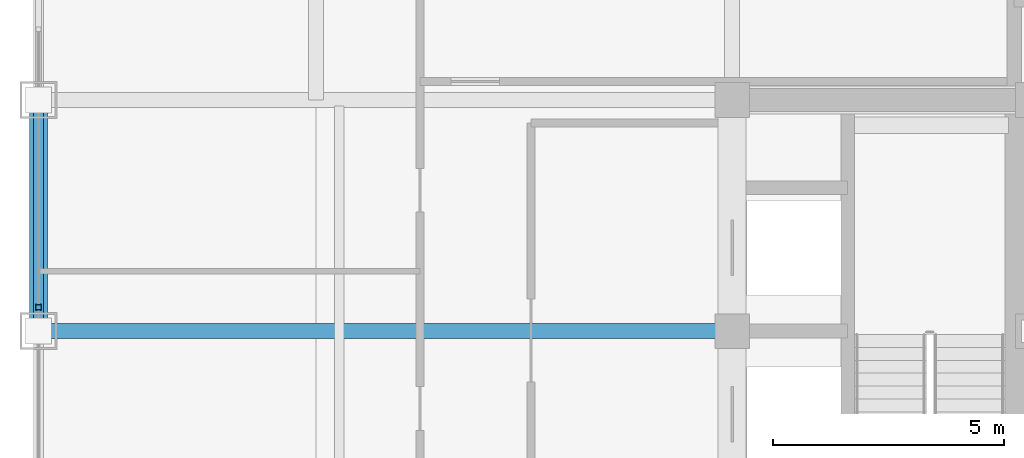
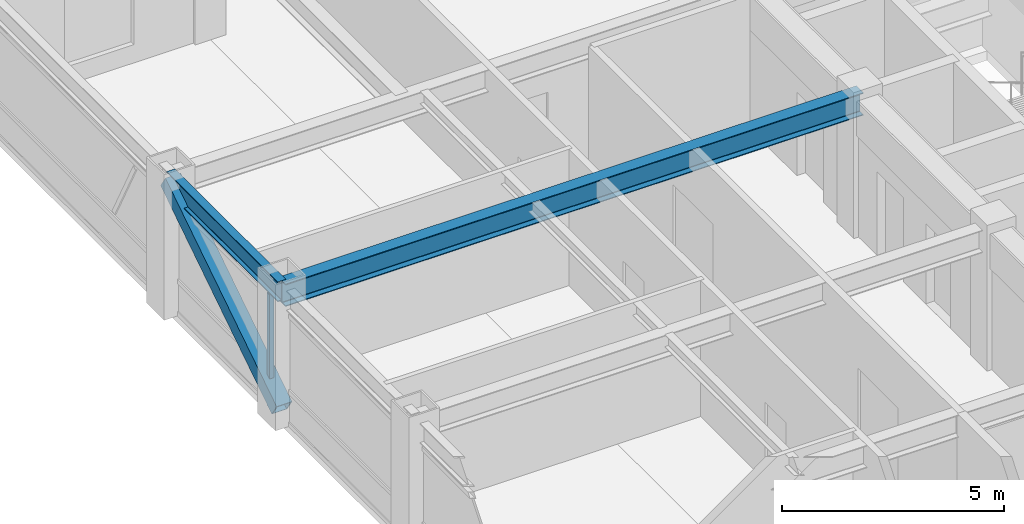
# One storey, part 15 of 29: 2 beams, 2 members, 1 element without a shape of its own.
"""IFC4 building model written with IfcOpenShell, lengths in metres."""

from ifc_helpers import new_model, si_unit, direction, frame, origin, origin_2d, place, context, subcontext, project, spatial, hollow_rectangle, i_section, extrude, source, transform, mapped, material, material_profile, profile_set, type_object, element, aggregate, save


model = new_model("IFC4")

# Units and contexts
model_context = context("Model", 3, precision=1e-05, world=origin(), true_north=direction((0.0, 1.0)))
body_context = subcontext(model_context, "Body", "Model", "MODEL_VIEW")
ifc_project = project(units=[si_unit("LENGTHUNIT", "METRE"), si_unit("AREAUNIT", "SQUARE_METRE"), si_unit("VOLUMEUNIT", "CUBIC_METRE"), si_unit("PLANEANGLEUNIT", "RADIAN"), si_unit("MASSUNIT", "GRAM", prefix="KILO")], contexts=[model_context])

# Site, building, storey
site_placement = place(None, origin())
site = spatial("IfcSite", under=ifc_project, at=site_placement, CompositionType="ELEMENT")
building_placement = place(site_placement, origin())
building = spatial("IfcBuilding", under=site, at=building_placement, Name="Khorayat Bourse Tower", CompositionType="ELEMENT")
storey_placement = place(building_placement, frame((0.0, 0.0, 350.300048828125)))
storey = spatial("IfcBuildingStorey", under=building, at=storey_placement, Name="L83", CompositionType="ELEMENT", Elevation=350.300048828125)

# Beams
ifc_material_1 = material(Name="Steel ASTM A992 Grade 50", Category="steel")
ifc_material_profile_1 = material_profile(ifc_material_1, i_section(OverallWidth=0.214111328125, OverallDepth=0.549072265625, WebThickness=0.0146484375, FlangeThickness=0.023681640625, FilletRadius=0.013916015625, at=origin_2d()), Name="W530X138")
ifc_profile_set_1 = profile_set([ifc_material_profile_1], Name="Steel ASTM A992 Grade 50")
beam_type_1 = type_object("IfcBeamType", Name="BM-SPAN-530", PredefinedType="SPANDREL", material=ifc_profile_set_1)
shared_shape_1 = source(origin(), body_context, "Body", "SweptSolid", [
    extrude(i_section(OverallWidth=0.214111328125, OverallDepth=0.549072265625, WebThickness=0.0146484375, FlangeThickness=0.023681640625, FilletRadius=0.013916015625, at=origin_2d()), origin(), (0.0, 0.0, 1.0), 5.0),
])
beam_1_placement = place(storey_placement, frame((-26.0, 6.0, 3.46533203125), z_axis=(0.0, 1.0, 0.0), x_axis=(-1.0, 0.0, 0.0)))
element("IfcBeam", 1, at=beam_1_placement, inside=storey, type_object=beam_type_1, Name="L83 BM-SPAN-530 BM-L83-SPN-046", PredefinedType="SPANDREL", context=body_context, shape_type="MappedRepresentation", body=[
    mapped(shared_shape_1, transform((0.0, 0.0, 0.0), scale=1.0)),
])
ifc_material_profile_2 = material_profile(ifc_material_1, i_section(OverallWidth=0.324951171875, OverallDepth=0.615966796875, WebThickness=0.013916015625, FlangeThickness=0.021484375, FilletRadius=0.01611328125, at=origin_2d()), Name="W610X174")
ifc_profile_set_2 = profile_set([ifc_material_profile_2], Name="Steel ASTM A992 Grade 50")
beam_type_2 = type_object("IfcBeamType", Name="BM-GIRD-610", PredefinedType="BEAM", material=ifc_profile_set_2)
shared_shape_2 = source(origin(), body_context, "Body", "SweptSolid", [
    extrude(i_section(OverallWidth=0.324951171875, OverallDepth=0.615966796875, WebThickness=0.013916015625, FlangeThickness=0.021484375, FilletRadius=0.01611328125, at=origin_2d()), origin(), (0.0, 0.0, 1.0), 15.0),
])
beam_2_placement = place(storey_placement, frame((-26.0, 6.0, 3.431884765625), z_axis=(1.0, 0.0, 0.0), x_axis=(0.0, 1.0, 0.0)))
element("IfcBeam", 2, at=beam_2_placement, inside=storey, type_object=beam_type_2, Name="L83 BM-GIRD-610 BM-L83-RADX-068", PredefinedType="BEAM", context=body_context, shape_type="MappedRepresentation", body=[
    mapped(shared_shape_2, transform((0.0, 0.0, 0.0), scale=1.0)),
])

# Member
ifc_material_2 = material(Name="Steel EN 10025-4 S460M", Category="steel")
ifc_material_profile_3 = material_profile(ifc_material_2, hollow_rectangle(XDim=0.39990234375, YDim=0.39990234375, WallThickness=0.02197265625, at=origin_2d()), Name="HSS 400x400x22")
ifc_profile_set_3 = profile_set([ifc_material_profile_3], Name="Steel EN 10025-4 S460M")
member_type_1 = type_object("IfcMemberType", Name="MBR-TUBE-400", PredefinedType="BRACE", material=ifc_profile_set_3)
shared_shape_3 = source(origin(), body_context, "Body", "SweptSolid", [
    extrude(hollow_rectangle(XDim=0.39990234375, YDim=0.39990234375, WallThickness=0.02197265625, at=origin_2d()), origin(), (0.0, 0.0, 1.0), 5.9580078125),
])
member_1_placement = place(storey_placement, frame((-26.0, 6.0, 0.25), z_axis=(0.0, 0.839210474455, 0.543806748364), x_axis=(-1.0, 0.0, 0.0)))
element("IfcMember", 3, at=member_1_placement, inside=storey, type_object=member_type_1, Name="L83 Perimeter Tube Brace 06", PredefinedType="BRACE", context=body_context, shape_type="MappedRepresentation", body=[
    mapped(shared_shape_3, transform((0.0, 0.0, 0.0), scale=1.0)),
])

# Curtain wall, member
ifc_material_3 = material(Name="Aluminium EN AW-6063 T6", Category="aluminium")
curtain_wall_type = type_object("IfcCurtainWallType", Name="CW-SYS-06", PredefinedType="NOTDEFINED", material=ifc_material_3)
curtain_wall_placement = place(storey_placement, origin())
curtain_wall = element("IfcCurtainWall", 4, at=curtain_wall_placement, inside=storey, type_object=curtain_wall_type, Name="L83 Curtain Wall CW-L83-W1", PredefinedType="NOTDEFINED")
ifc_material_profile_4 = material_profile(ifc_material_3, hollow_rectangle(XDim=0.1201171875, YDim=0.1201171875, WallThickness=0.0048828125, at=origin_2d()), Name="ALU 120x120x5")
ifc_profile_set_4 = profile_set([ifc_material_profile_4], Name="Aluminium EN AW-6063 T6")
member_type_2 = type_object("IfcMemberType", Name="CWM-VERT-120", PredefinedType="MULLION", material=ifc_profile_set_4)
shared_shape_4 = source(origin(), body_context, "Body", "SweptSolid", [
    extrude(hollow_rectangle(XDim=0.1201171875, YDim=0.1201171875, WallThickness=0.0048828125, at=origin_2d()), origin(), (0.0, 0.0, 1.0), 3.08984375),
])
member_2_placement = place(storey_placement, frame((-26.0, 6.5166015625, 0.0), z_axis=(0.0, 0.0, 1.0), x_axis=(1.0, 0.0, 0.0)))
member_2 = element("IfcMember", 5, at=member_2_placement, type_object=member_type_2, Name="CW-L83-W1 Vertical Mullion 2", PredefinedType="MULLION", context=body_context, shape_type="MappedRepresentation", body=[
    mapped(shared_shape_4, transform((0.0, 0.0, 0.0), scale=1.0)),
])
aggregate(curtain_wall, [member_2])

save(model, "model.ifc")
